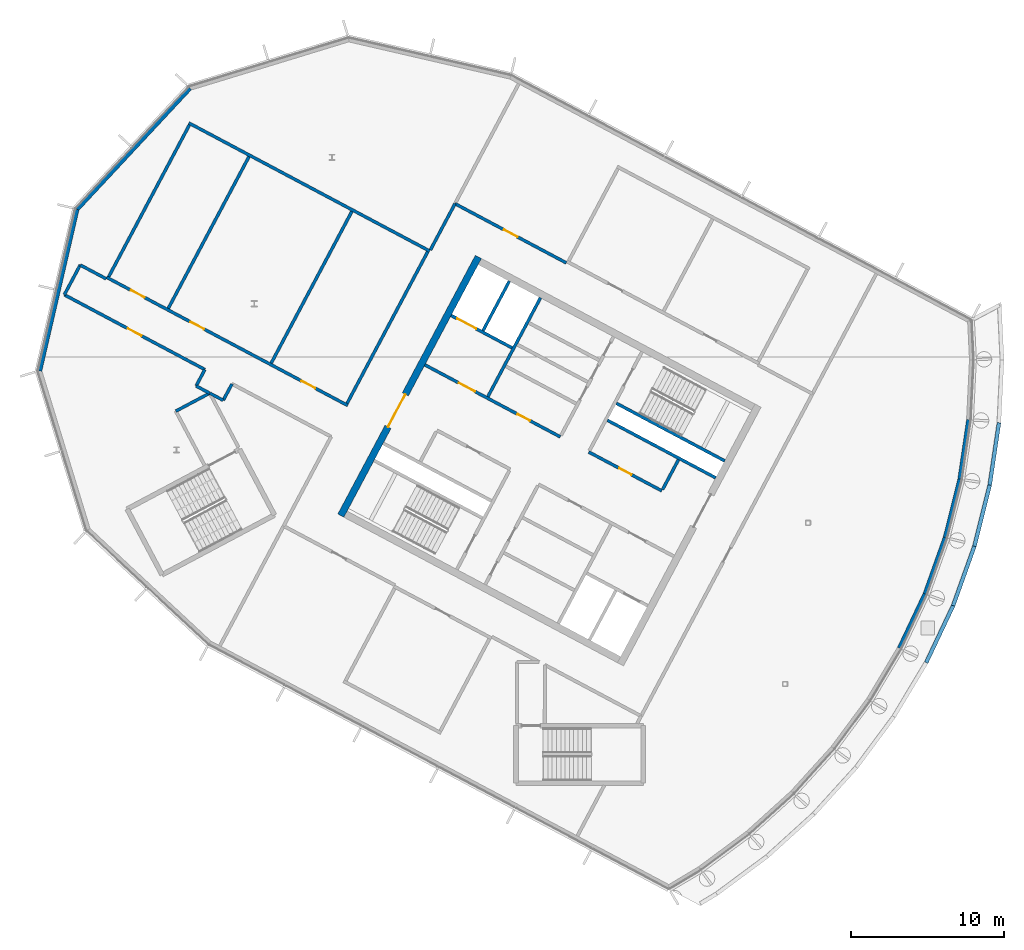
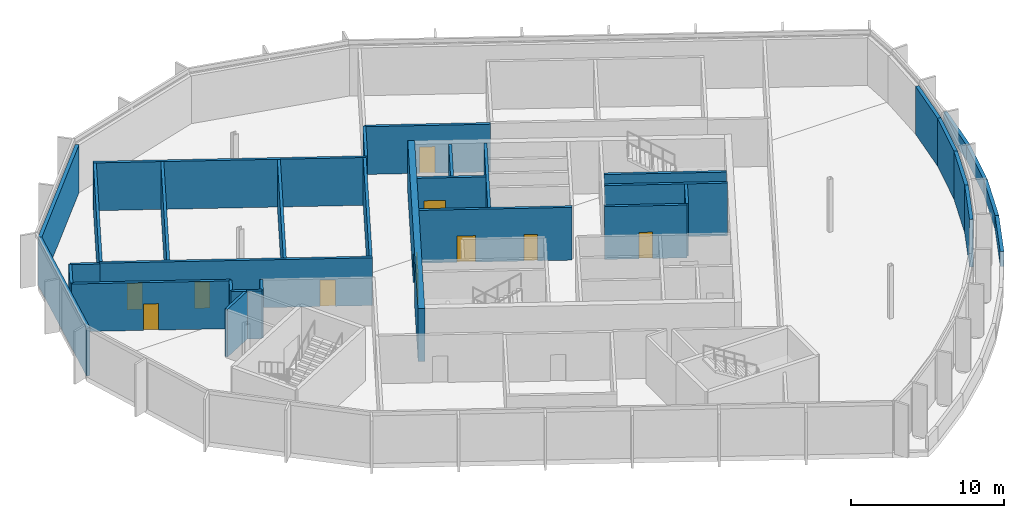
# One storey, part 7 of 16: 35 walls, 10 doors, 10 openings.
"""IFC4 building model written with IfcOpenShell, lengths in metres."""

from ifc_helpers import new_model, si_unit, direction, frame, frame_2d, origin, place, context, subcontext, project, spatial, rectangle, extrude, material, layer, layer_set, type_object, element, fill, save


model = new_model("IFC4")

# Units and contexts
model_context = context("Model", 3, precision=1e-05, world=origin(), true_north=direction((0.0, 1.0)))
body_context = subcontext(model_context, "Body", "Model", "MODEL_VIEW")
ifc_project = project(units=[si_unit("LENGTHUNIT", "METRE"), si_unit("AREAUNIT", "SQUARE_METRE"), si_unit("VOLUMEUNIT", "CUBIC_METRE"), si_unit("PLANEANGLEUNIT", "RADIAN"), si_unit("MASSUNIT", "GRAM", prefix="KILO")], contexts=[model_context])

# Site, building, storey
site_placement = place(None, origin())
site = spatial("IfcSite", under=ifc_project, at=site_placement, CompositionType="ELEMENT")
building_placement = place(site_placement, origin())
building = spatial("IfcBuilding", under=site, at=building_placement, Name="Cormorant Relay Tower", CompositionType="ELEMENT")
storey_placement = place(building_placement, frame((0.0, 0.0, 340.800048828125)))
storey = spatial("IfcBuildingStorey", under=building, at=storey_placement, Name="C4", CompositionType="ELEMENT", Elevation=340.800048828125)

# Walls
ifc_material_1 = material(Name="Concrete 50 MPa", Category="concrete")
ifc_layer_1 = layer(ifc_material_1, 0.199951171875)
ifc_layer_set_1 = layer_set([ifc_layer_1], Name="Core shaft wall 200")
wall_type_1 = type_object("IfcWallType", Name="Core shaft wall 200", PredefinedType="SHEAR", material=ifc_layer_set_1)
wall_1_placement = place(storey_placement, frame((-18.959716796875, 14.611328125, 0.0), z_axis=(0.0, 0.0, 1.0), x_axis=(-0.4694473164, -0.882960484464, 0.0)))
element("IfcWall", 1, at=wall_1_placement, inside=storey, type_object=wall_type_1, Name="C4 core A shaft wall", PredefinedType="SHEAR", context=body_context, shape_type="SweptSolid", body=[
    extrude(rectangle(XDim=2.199951171875, YDim=0.199951171875, at=frame_2d((1.10009765625, 0.0))), origin(), (0.0, 0.0, 1.0), 4.199951171875),
])
wall_2_placement = place(storey_placement, frame((-27.955322265625, 25.170654296875, 0.0), z_axis=(0.0, 0.0, 1.0), x_axis=(-0.469480409012, -0.88294288918, 0.0)))
element("IfcWall", 2, at=wall_2_placement, inside=storey, type_object=wall_type_1, Name="C4 core A shaft wall", PredefinedType="SHEAR", context=body_context, shape_type="SweptSolid", body=[
    extrude(rectangle(XDim=7.300048828125, YDim=0.199951171875, at=frame_2d((3.64990234375, 0.0))), origin(), (0.0, 0.0, 1.0), 4.199951171875),
])
wall_3_placement = place(storey_placement, frame((-29.986083984375, 26.250244140625, 0.0), z_axis=(0.0, 0.0, 1.0), x_axis=(-0.469494272526, -0.882935517501, 0.0)))
element("IfcWall", 3, at=wall_3_placement, inside=storey, type_object=wall_type_1, Name="C4 core A shaft wall", PredefinedType="SHEAR", context=body_context, shape_type="SweptSolid", body=[
    extrude(rectangle(XDim=3.64990234375, YDim=0.199951171875, at=frame_2d((1.824951171875, 0.0))), origin(), (0.0, 0.0, 1.0), 4.199951171875),
])
wall_4_placement = place(storey_placement, frame((-15.94189453125, 14.53564453125, 0.0), z_axis=(0.0, 0.0, 1.0), x_axis=(-0.882946947542, 0.469472776449, 0.0)))
element("IfcWall", 4, at=wall_4_placement, inside=storey, type_object=wall_type_1, Name="C4 core A shaft wall", PredefinedType="SHEAR", context=body_context, shape_type="SweptSolid", body=[
    extrude(rectangle(XDim=8.000244140625, YDim=0.199951171875, at=frame_2d((4.0, 0.0))), origin(), (0.0, 0.0, 1.0), 4.199951171875),
])

# Wall, opening, door
wall_5_placement = place(storey_placement, frame((-29.80419921875, 21.906494140625, 0.0), z_axis=(0.0, 0.0, 1.0), x_axis=(-0.882960433586, 0.469447412093, 0.0)))
wall_5 = element("IfcWall", 5, at=wall_5_placement, inside=storey, type_object=wall_type_1, Name="C4 core A shaft wall", PredefinedType="SHEAR", context=body_context, shape_type="SweptSolid", body=[
    extrude(rectangle(XDim=4.5, YDim=0.199951171875, at=frame_2d((2.25, 0.0))), origin(), (0.0, 0.0, 1.0), 4.199951171875),
])
opening_1_placement = place(wall_5_placement, frame((2.64990234375, 0.0, 0.0)))
opening_1 = element("IfcOpeningElement", 6, at=opening_1_placement, cuts=wall_5, Name="Opening LD3-017", PredefinedType="OPENING", context=body_context, shape_type="SweptSolid", body=[
    extrude(rectangle(XDim=1.39990234375, YDim=2.39990234375, at=frame_2d((0.699951171875, 1.199951171875))), frame((0.0, 0.10986328125, 0.0), z_axis=(0.0, -1.0, 0.0), x_axis=(1.0, 0.0, 0.0)), (0.0, 0.0, 1.0), 0.219970703125),
])
ifc_material_2 = material(Name="Stainless steel 316", Category="steel")
door_type_1 = type_object("IfcDoorType", Name="Lift landing door 1400x2400", OperationType="DOUBLE_DOOR_SLIDING", PredefinedType="DOOR", material=ifc_material_2)
door_1_placement = place(opening_1_placement, origin())
door_1 = element("IfcDoor", 7, at=door_1_placement, inside=storey, type_object=door_type_1, Name="SV1 landing door", OperationType="DOUBLE_DOOR_SLIDING", OverallHeight=2.39990234375, OverallWidth=1.39990234375, PredefinedType="DOOR", context=body_context, shape_type="SweptSolid", body=[
    extrude(rectangle(XDim=1.39990234375, YDim=2.39990234375, at=frame_2d((0.699951171875, 1.199951171875))), frame((0.0, 0.02490234375, 0.0), z_axis=(0.0, -1.0, 0.0), x_axis=(1.0, 0.0, 0.0)), (0.0, 0.0, 1.0), 0.050048828125),
])
fill(opening_1, door_1)

# Wall
wall_6_placement = place(storey_placement, frame((-16.52880859375, 13.43212890625, 0.0), z_axis=(0.0, 0.0, 1.0), x_axis=(-0.88295287151, 0.469461634952, 0.0)))
element("IfcWall", 8, at=wall_6_placement, inside=storey, type_object=wall_type_1, Name="C4 core A shaft wall", PredefinedType="SHEAR", context=body_context, shape_type="SweptSolid", body=[
    extrude(rectangle(XDim=7.999755859375, YDim=0.199951171875, at=frame_2d((4.0, 0.0))), origin(), (0.0, 0.0, 1.0), 4.199951171875),
])

# Wall, opening, door
wall_7_placement = place(storey_placement, frame((-20.03955078125, 12.58056640625, 0.0), z_axis=(0.0, 0.0, 1.0), x_axis=(-0.882942972946, 0.469480251476, 0.0)))
wall_7 = element("IfcWall", 9, at=wall_7_placement, inside=storey, type_object=wall_type_1, Name="C4 core A shaft wall", PredefinedType="SHEAR", context=body_context, shape_type="SweptSolid", body=[
    extrude(rectangle(XDim=5.39990234375, YDim=0.199951171875, at=frame_2d((2.699951171875, 0.0))), origin(), (0.0, 0.0, 1.0), 4.199951171875),
])
opening_2_placement = place(wall_7_placement, frame((2.25, 0.0, 0.0)))
opening_2 = element("IfcOpeningElement", 10, at=opening_2_placement, cuts=wall_7, Name="Opening CDD-365", PredefinedType="OPENING", context=body_context, shape_type="SweptSolid", body=[
    extrude(rectangle(XDim=0.89990234375, YDim=2.10009765625, at=frame_2d((0.449951171875, 1.050048828125))), frame((0.0, 0.10986328125, 0.0), z_axis=(0.0, -1.0, 0.0), x_axis=(1.0, 0.0, 0.0)), (0.0, 0.0, 1.0), 0.219970703125),
])
ifc_material_3 = material(Name="Steel fire door", Category="steel")
door_type_2 = type_object("IfcDoorType", Name="Core room door 900x2100", OperationType="SINGLE_SWING_LEFT", PredefinedType="DOOR", material=ifc_material_3)
door_2_placement = place(opening_2_placement, origin())
door_2 = element("IfcDoor", 11, at=door_2_placement, inside=storey, type_object=door_type_2, Name="Core room door 900x2100", OperationType="SINGLE_SWING_LEFT", OverallHeight=2.10009765625, OverallWidth=0.89990234375, PredefinedType="DOOR", context=body_context, shape_type="SweptSolid", body=[
    extrude(rectangle(XDim=0.89990234375, YDim=2.10009765625, at=frame_2d((0.449951171875, 1.050048828125))), frame((0.0, 0.02490234375, 0.0), z_axis=(0.0, -1.0, 0.0), x_axis=(1.0, 0.0, 0.0)), (0.0, 0.0, 1.0), 0.050048828125),
])
fill(opening_2, door_2)

# Wall, openings, doors
wall_8_placement = place(storey_placement, frame((-26.66162109375, 16.1015625, 0.0), z_axis=(0.0, 0.0, 1.0), x_axis=(-0.882940221191, 0.469485426614, 0.0)))
wall_8 = element("IfcWall", 12, at=wall_8_placement, inside=storey, type_object=wall_type_1, Name="C4 core A shaft wall", PredefinedType="SHEAR", context=body_context, shape_type="SweptSolid", body=[
    extrude(rectangle(XDim=10.0, YDim=0.199951171875, at=frame_2d((5.0, 0.0))), origin(), (0.0, 0.0, 1.0), 4.199951171875),
])
opening_3_placement = place(wall_8_placement, frame((6.300048828125, 0.0, 0.0)))
opening_3 = element("IfcOpeningElement", 13, at=opening_3_placement, cuts=wall_8, Name="Opening CDC-041", PredefinedType="OPENING", context=body_context, shape_type="SweptSolid", body=[
    extrude(rectangle(XDim=1.199951171875, YDim=2.10009765625, at=frame_2d((0.60009765625, 1.050048828125))), frame((0.0, 0.10986328125, 0.0), z_axis=(0.0, -1.0, 0.0), x_axis=(1.0, 0.0, 0.0)), (0.0, 0.0, 1.0), 0.219970703125),
])
opening_4_placement = place(wall_8_placement, frame((2.25, 0.0, 0.0)))
opening_4 = element("IfcOpeningElement", 14, at=opening_4_placement, cuts=wall_8, Name="Opening CDD-366", PredefinedType="OPENING", context=body_context, shape_type="SweptSolid", body=[
    extrude(rectangle(XDim=0.89990234375, YDim=2.10009765625, at=frame_2d((0.449951171875, 1.050048828125))), frame((0.0, 0.10986328125, 0.0), z_axis=(0.0, -1.0, 0.0), x_axis=(1.0, 0.0, 0.0)), (0.0, 0.0, 1.0), 0.219970703125),
])
ifc_material_4 = material(Name="Steel fire door", Category="steel")
door_type_3 = type_object("IfcDoorType", Name="Core lobby door 1200x2100", OperationType="SINGLE_SWING_LEFT", PredefinedType="DOOR", material=ifc_material_4)
door_3_placement = place(opening_3_placement, origin())
door_3 = element("IfcDoor", 15, at=door_3_placement, inside=storey, type_object=door_type_3, Name="Core lobby door 1200x2100", OperationType="SINGLE_SWING_LEFT", OverallHeight=2.10009765625, OverallWidth=1.199951171875, PredefinedType="DOOR", context=body_context, shape_type="SweptSolid", body=[
    extrude(rectangle(XDim=1.199951171875, YDim=2.10009765625, at=frame_2d((0.60009765625, 1.050048828125))), frame((0.0, 0.02490234375, 0.0), z_axis=(0.0, -1.0, 0.0), x_axis=(1.0, 0.0, 0.0)), (0.0, 0.0, 1.0), 0.050048828125),
])
fill(opening_3, door_3)
door_4_placement = place(opening_4_placement, origin())
door_4 = element("IfcDoor", 16, at=door_4_placement, inside=storey, type_object=door_type_2, Name="Core room door 900x2100", OperationType="SINGLE_SWING_LEFT", OverallHeight=2.10009765625, OverallWidth=0.89990234375, PredefinedType="DOOR", context=body_context, shape_type="SweptSolid", body=[
    extrude(rectangle(XDim=0.89990234375, YDim=2.10009765625, at=frame_2d((0.449951171875, 1.050048828125))), frame((0.0, 0.02490234375, 0.0), z_axis=(0.0, -1.0, 0.0), x_axis=(1.0, 0.0, 0.0)), (0.0, 0.0, 1.0), 0.050048828125),
])
fill(opening_4, door_4)

# Wall, opening, door
ifc_material_5 = material(Name="Concrete 50 MPa", Category="concrete")
ifc_layer_2 = layer(ifc_material_5, 0.449951171875)
ifc_layer_set_2 = layer_set([ifc_layer_2], Name="Core wall 450")
wall_type_2 = type_object("IfcWallType", Name="Core wall 450", PredefinedType="SHEAR", material=ifc_layer_set_2)
wall_9_placement = place(storey_placement, frame((-32.00439453125, 27.8330078125, 0.0), z_axis=(0.0, 0.0, 1.0), x_axis=(-0.469467968382, -0.882949504028, 0.0)))
wall_9 = element("IfcWall", 17, at=wall_9_placement, inside=storey, type_object=wall_type_2, Name="C4 core A wall", PredefinedType="SHEAR", context=body_context, shape_type="SweptSolid", body=[
    extrude(rectangle(XDim=19.099853515625, YDim=0.449951171875, at=frame_2d((9.5498046875, 0.0))), origin(), (0.0, 0.0, 1.0), 4.199951171875),
])
opening_5_placement = place(wall_9_placement, frame((10.14990234375, 0.0, 0.0)))
opening_5 = element("IfcOpeningElement", 18, at=opening_5_placement, cuts=wall_9, Name="Opening CDA-059", PredefinedType="OPENING", context=body_context, shape_type="SweptSolid", body=[
    extrude(rectangle(XDim=2.39990234375, YDim=2.39990234375, at=frame_2d((1.199951171875, 1.199951171875))), frame((0.0, 0.23486328125, 0.0), z_axis=(0.0, -1.0, 0.0), x_axis=(1.0, 0.0, 0.0)), (0.0, 0.0, 1.0), 0.469970703125),
])
ifc_material_6 = material(Name="Steel fire door", Category="steel")
door_type_4 = type_object("IfcDoorType", Name="Core lobby door 2400x2400", OperationType="DOUBLE_DOOR_SINGLE_SWING", PredefinedType="DOOR", material=ifc_material_6)
door_5_placement = place(opening_5_placement, origin())
door_5 = element("IfcDoor", 19, at=door_5_placement, inside=storey, type_object=door_type_4, Name="Core lobby door 2400x2400", OperationType="DOUBLE_DOOR_SINGLE_SWING", OverallHeight=2.39990234375, OverallWidth=2.39990234375, PredefinedType="DOOR", context=body_context, shape_type="SweptSolid", body=[
    extrude(rectangle(XDim=2.39990234375, YDim=2.39990234375, at=frame_2d((1.199951171875, 1.199951171875))), frame((0.0, 0.02490234375, 0.0), z_axis=(0.0, -1.0, 0.0), x_axis=(1.0, 0.0, 0.0)), (0.0, 0.0, 1.0), 0.050048828125),
])
fill(opening_5, door_5)

# Wall
ifc_material_7 = material(Name="Concrete 30 MPa block wall", Category="concrete")
ifc_layer_3 = layer(ifc_material_7, 0.199951171875)
ifc_layer_set_3 = layer_set([ifc_layer_3], Name="Crown plant room wall 200")
wall_type_3 = type_object("IfcWallType", Name="Crown plant room wall 200", PredefinedType="PARTITIONING", material=ifc_layer_set_3)
wall_10_placement = place(storey_placement, frame((-35.1708984375, 28.21435546875, 0.0), z_axis=(0.0, 0.0, 1.0), x_axis=(-0.882952110828, 0.469463065622, 0.0)))
element("IfcWall", 20, at=wall_10_placement, inside=storey, type_object=wall_type_3, Name="Plant room wall", PredefinedType="PARTITIONING", context=body_context, shape_type="SweptSolid", body=[
    extrude(rectangle(XDim=17.800048828125, YDim=0.199951171875, at=frame_2d((8.89990234375, 0.0))), origin(), (0.0, 0.0, 1.0), 3.7998046875),
])

# Wall, openings, doors
wall_11_placement = place(storey_placement, frame((-40.52294921875, 18.148681640625, 0.0), z_axis=(0.0, 0.0, 1.0), x_axis=(-0.882946425434, 0.469473758387, 0.0)))
wall_11 = element("IfcWall", 21, at=wall_11_placement, inside=storey, type_object=wall_type_3, Name="Plant room wall", PredefinedType="PARTITIONING", context=body_context, shape_type="SweptSolid", body=[
    extrude(rectangle(XDim=17.800048828125, YDim=0.199951171875, at=frame_2d((8.89990234375, 0.0))), origin(), (0.0, 0.0, 1.0), 3.7998046875),
])
opening_6_placement = place(wall_11_placement, frame((2.39990234375, 0.0, 0.0)))
opening_6 = element("IfcOpeningElement", 22, at=opening_6_placement, cuts=wall_11, Name="Opening CRD1-003", PredefinedType="OPENING", context=body_context, shape_type="SweptSolid", body=[
    extrude(rectangle(XDim=1.0, YDim=2.10009765625, at=frame_2d((0.5, 1.050048828125))), frame((0.0, 0.10986328125, 0.0), z_axis=(0.0, -1.0, 0.0), x_axis=(1.0, 0.0, 0.0)), (0.0, 0.0, 1.0), 0.219970703125),
])
opening_7_placement = place(wall_11_placement, frame((10.60009765625, 0.0, 0.0)))
opening_7 = element("IfcOpeningElement", 23, at=opening_7_placement, cuts=wall_11, Name="Opening CRD1-004", PredefinedType="OPENING", context=body_context, shape_type="SweptSolid", body=[
    extrude(rectangle(XDim=1.0, YDim=2.10009765625, at=frame_2d((0.5, 1.050048828125))), frame((0.0, 0.10986328125, 0.0), z_axis=(0.0, -1.0, 0.0), x_axis=(1.0, 0.0, 0.0)), (0.0, 0.0, 1.0), 0.219970703125),
])
opening_8_placement = place(wall_11_placement, frame((15.0, 0.0, 0.0)))
opening_8 = element("IfcOpeningElement", 24, at=opening_8_placement, cuts=wall_11, Name="Opening CRD1-005", PredefinedType="OPENING", context=body_context, shape_type="SweptSolid", body=[
    extrude(rectangle(XDim=1.0, YDim=2.10009765625, at=frame_2d((0.5, 1.050048828125))), frame((0.0, 0.10986328125, 0.0), z_axis=(0.0, -1.0, 0.0), x_axis=(1.0, 0.0, 0.0)), (0.0, 0.0, 1.0), 0.219970703125),
])
ifc_material_8 = material(Name="Galvanised sheet steel ASTM A653 framed door leaf", Category="steel")
door_type_5 = type_object("IfcDoorType", Name="Crown door single 1000", OperationType="SINGLE_SWING_LEFT", PredefinedType="DOOR", material=ifc_material_8)
door_6_placement = place(opening_6_placement, frame((1.0, 0.0, 0.0), z_axis=(0.0, 0.0, 1.0), x_axis=(-1.0, 0.0, 0.0)))
door_6 = element("IfcDoor", 25, at=door_6_placement, inside=storey, type_object=door_type_5, Name="Telecom equipment room door", OperationType="SINGLE_SWING_RIGHT", OverallHeight=2.10009765625, OverallWidth=1.0, PredefinedType="DOOR", context=body_context, shape_type="SweptSolid", body=[
    extrude(rectangle(XDim=1.0, YDim=2.10009765625, at=frame_2d((0.5, 1.050048828125))), frame((0.0, 0.02490234375, 0.0), z_axis=(0.0, -1.0, 0.0), x_axis=(1.0, 0.0, 0.0)), (0.0, 0.0, 1.0), 0.050048828125),
])
fill(opening_6, door_6)
door_7_placement = place(opening_7_placement, frame((1.0, 0.0, 0.0), z_axis=(0.0, 0.0, 1.0), x_axis=(-1.0, 0.0, 0.0)))
door_7 = element("IfcDoor", 26, at=door_7_placement, inside=storey, type_object=door_type_5, Name="Radio frequency room door", OperationType="SINGLE_SWING_RIGHT", OverallHeight=2.10009765625, OverallWidth=1.0, PredefinedType="DOOR", context=body_context, shape_type="SweptSolid", body=[
    extrude(rectangle(XDim=1.0, YDim=2.10009765625, at=frame_2d((0.5, 1.050048828125))), frame((0.0, 0.02490234375, 0.0), z_axis=(0.0, -1.0, 0.0), x_axis=(1.0, 0.0, 0.0)), (0.0, 0.0, 1.0), 0.050048828125),
])
fill(opening_7, door_7)
door_8_placement = place(opening_8_placement, frame((1.0, 0.0, 0.0), z_axis=(0.0, 0.0, 1.0), x_axis=(-1.0, 0.0, 0.0)))
door_8 = element("IfcDoor", 27, at=door_8_placement, inside=storey, type_object=door_type_5, Name="Cable entry room door", OperationType="SINGLE_SWING_RIGHT", OverallHeight=2.10009765625, OverallWidth=1.0, PredefinedType="DOOR", context=body_context, shape_type="SweptSolid", body=[
    extrude(rectangle(XDim=1.0, YDim=2.10009765625, at=frame_2d((0.5, 1.050048828125))), frame((0.0, 0.02490234375, 0.0), z_axis=(0.0, -1.0, 0.0), x_axis=(1.0, 0.0, 0.0)), (0.0, 0.0, 1.0), 0.050048828125),
])
fill(opening_8, door_8)

# Walls
for number, where, z_axis, x_axis, name in (
    (28, (-35.306396484375, 28.173095703125, 0.0), (0.0, 0.0, 1.0), (-0.469447393298, -0.882960443579, 0.0), "Plant room wall"),
    (29, (-40.250732421875, 30.802001953125, 0.0), (0.0, 0.0, 1.0), (-0.469473423128, -0.882946603695, 0.0), "Plant room wall"),
):
    element("IfcWall", number, at=place(storey_placement, frame(where, z_axis=z_axis, x_axis=x_axis)), inside=storey, type_object=wall_type_3, Name=name, PredefinedType="PARTITIONING", context=body_context, shape_type="SweptSolid", body=[
        extrude(rectangle(XDim=11.199951171875, YDim=0.199951171875, at=frame_2d((5.60009765625, 0.0))), origin(), (0.0, 0.0, 1.0), 3.7998046875),
    ])
for number, where, z_axis, x_axis, name in (
    (30, (-46.961181640625, 34.3701171875, 0.0), (0.0, 0.0, 1.0), (-0.46946438738, -0.882951408052, 0.0), "Plant room wall"),
    (31, (-50.84619140625, 36.435791015625, 0.0), (0.0, 0.0, 1.0), (-0.46946438738, -0.882951408052, 0.0), "Plant room wall"),
):
    element("IfcWall", number, at=place(storey_placement, frame(where, z_axis=z_axis, x_axis=x_axis)), inside=storey, type_object=wall_type_3, Name=name, PredefinedType="PARTITIONING", context=body_context, shape_type="SweptSolid", body=[
        extrude(rectangle(XDim=11.2001953125, YDim=0.199951171875, at=frame_2d((5.60009765625, 0.0))), origin(), (0.0, 0.0, 1.0), 3.7998046875),
    ])
wall_12_placement = place(storey_placement, frame((-57.964111328125, 27.30908203125, 0.0), z_axis=(0.0, 0.0, 1.0), x_axis=(0.882957622595, -0.46945269911, 0.0)))
element("IfcWall", 32, at=wall_12_placement, inside=storey, type_object=wall_type_3, Name="Plant room wall", PredefinedType="PARTITIONING", context=body_context, shape_type="SweptSolid", body=[
    extrude(rectangle(XDim=1.919921875, YDim=0.199951171875, at=frame_2d((0.9599609375, 0.0))), origin(), (0.0, 0.0, 1.0), 3.7998046875),
])
wall_13_placement = place(storey_placement, frame((-35.13330078125, 28.284912109375, 0.0), z_axis=(0.0, 0.0, 1.0), x_axis=(0.469431829014, 0.882968718533, 0.0)))
element("IfcWall", 33, at=wall_13_placement, inside=storey, type_object=wall_type_3, Name="Plant room wall", PredefinedType="PARTITIONING", context=body_context, shape_type="SweptSolid", body=[
    extrude(rectangle(XDim=3.419921875, YDim=0.199951171875, at=frame_2d((1.7099609375, 0.0))), origin(), (0.0, 0.0, 1.0), 3.7998046875),
])
wall_14_placement = place(storey_placement, frame((-48.06591796875, 19.554443359375, 0.0), z_axis=(0.0, 0.0, 1.0), x_axis=(-0.472372077366, -0.881399240143, 0.0)))
element("IfcWall", 34, at=wall_14_placement, inside=storey, type_object=wall_type_3, Name="Plant room wall", PredefinedType="PARTITIONING", context=body_context, shape_type="SweptSolid", body=[
    extrude(rectangle(XDim=1.214111328125, YDim=0.199951171875, at=frame_2d((0.60693359375, 0.0))), origin(), (0.0, 0.0, 1.0), 3.7998046875),
])
wall_15_placement = place(storey_placement, frame((-48.639404296875, 18.484375, 0.0), z_axis=(0.0, 0.0, 1.0), x_axis=(-0.883070878111, 0.469239623467, 0.0)))
element("IfcWall", 35, at=wall_15_placement, inside=storey, type_object=wall_type_3, Name="Plant room wall", PredefinedType="PARTITIONING", context=body_context, shape_type="SweptSolid", body=[
    extrude(rectangle(XDim=0.987060546875, YDim=0.199951171875, at=frame_2d((0.49365234375, 0.0))), origin(), (0.0, 0.0, 1.0), 3.7998046875),
])
wall_16_placement = place(storey_placement, frame((-51.729736328125, 17.77978515625, 0.0), z_axis=(0.0, 0.0, 1.0), x_axis=(0.882878437933, 0.469601601182, 0.0)))
element("IfcWall", 36, at=wall_16_placement, inside=storey, type_object=wall_type_3, Name="Plant room wall", PredefinedType="PARTITIONING", context=body_context, shape_type="SweptSolid", body=[
    extrude(rectangle(XDim=2.492431640625, YDim=0.199951171875, at=frame_2d((1.24609375, 0.0))), origin(), (0.0, 0.0, 1.0), 3.7998046875),
])
wall_17_placement = place(storey_placement, frame((-49.529296875, 18.9501953125, 0.0), z_axis=(0.0, 0.0, 1.0), x_axis=(-0.880014039158, 0.474947671733, 0.0)))
element("IfcWall", 37, at=wall_17_placement, inside=storey, type_object=wall_type_3, Name="Plant room wall", PredefinedType="PARTITIONING", context=body_context, shape_type="SweptSolid", body=[
    extrude(rectangle(XDim=0.99560546875, YDim=0.199951171875, at=frame_2d((0.497802734375, 0.0))), origin(), (0.0, 0.0, 1.0), 3.7998046875),
])
wall_18_placement = place(storey_placement, frame((-50.405517578125, 19.423095703125, 0.0), z_axis=(0.0, 0.0, 1.0), x_axis=(0.469425611223, 0.882972024204, 0.0)))
element("IfcWall", 38, at=wall_18_placement, inside=storey, type_object=wall_type_3, Name="Plant room wall", PredefinedType="PARTITIONING", context=body_context, shape_type="SweptSolid", body=[
    extrude(rectangle(XDim=1.210205078125, YDim=0.199951171875, at=frame_2d((0.60498046875, 0.0))), origin(), (0.0, 0.0, 1.0), 3.7998046875),
])

# Wall, opening, door
wall_19_placement = place(storey_placement, frame((-49.83740234375, 20.49169921875, 0.0), z_axis=(0.0, 0.0, 1.0), x_axis=(-0.882753842136, 0.469835773643, 0.0)))
wall_19 = element("IfcWall", 39, at=wall_19_placement, inside=storey, type_object=wall_type_3, Name="Plant room wall", PredefinedType="PARTITIONING", context=body_context, shape_type="SweptSolid", body=[
    extrude(rectangle(XDim=10.3759765625, YDim=0.199951171875, at=frame_2d((5.18798828125, 0.0))), origin(), (0.0, 0.0, 1.0), 3.7998046875),
])
opening_9_placement = place(wall_19_placement, frame((4.68798828125, 0.0, 0.0)))
opening_9 = element("IfcOpeningElement", 40, at=opening_9_placement, cuts=wall_19, Name="Opening CRD1-007", PredefinedType="OPENING", context=body_context, shape_type="SweptSolid", body=[
    extrude(rectangle(XDim=1.0, YDim=2.10009765625, at=frame_2d((0.5, 1.050048828125))), frame((0.0, 0.10986328125, 0.0), z_axis=(0.0, -1.0, 0.0), x_axis=(1.0, 0.0, 0.0)), (0.0, 0.0, 1.0), 0.219970703125),
])
door_9_placement = place(opening_9_placement, origin())
door_9 = element("IfcDoor", 41, at=door_9_placement, inside=storey, type_object=door_type_5, Name="Radio frequency hall door", OperationType="SINGLE_SWING_LEFT", OverallHeight=2.10009765625, OverallWidth=1.0, PredefinedType="DOOR", context=body_context, shape_type="SweptSolid", body=[
    extrude(rectangle(XDim=1.0, YDim=2.10009765625, at=frame_2d((0.5, 1.050048828125))), frame((0.0, 0.02490234375, 0.0), z_axis=(0.0, -1.0, 0.0), x_axis=(1.0, 0.0, 0.0)), (0.0, 0.0, 1.0), 0.050048828125),
])
fill(opening_9, door_9)

# Wall
wall_20_placement = place(storey_placement, frame((-58.996826171875, 25.36669921875, 0.0), z_axis=(0.0, 0.0, 1.0), x_axis=(0.4694473164, 0.882960484464, 0.0)))
element("IfcWall", 42, at=wall_20_placement, inside=storey, type_object=wall_type_3, Name="Plant room wall", PredefinedType="PARTITIONING", context=body_context, shape_type="SweptSolid", body=[
    extrude(rectangle(XDim=2.199951171875, YDim=0.199951171875, at=frame_2d((1.10009765625, 0.0))), origin(), (0.0, 0.0, 1.0), 3.7998046875),
])

# Wall, opening, door
wall_21_placement = place(storey_placement, frame((-33.52783203125, 31.3046875, 0.0), z_axis=(0.0, 0.0, 1.0), x_axis=(0.882943382095, -0.469479481996, 0.0)))
wall_21 = element("IfcWall", 43, at=wall_21_placement, inside=storey, type_object=wall_type_3, Name="Plant room wall", PredefinedType="PARTITIONING", context=body_context, shape_type="SweptSolid", body=[
    extrude(rectangle(XDim=8.219970703125, YDim=0.199951171875, at=frame_2d((4.10986328125, 0.0))), origin(), (0.0, 0.0, 1.0), 3.7998046875),
])
opening_10_placement = place(wall_21_placement, frame((3.610107421875, 0.0, 0.0)))
opening_10 = element("IfcOpeningElement", 44, at=opening_10_placement, cuts=wall_21, Name="Opening CRD1-010", PredefinedType="OPENING", context=body_context, shape_type="SweptSolid", body=[
    extrude(rectangle(XDim=1.0, YDim=2.10009765625, at=frame_2d((0.5, 1.050048828125))), frame((0.0, 0.10986328125, 0.0), z_axis=(0.0, -1.0, 0.0), x_axis=(1.0, 0.0, 0.0)), (0.0, 0.0, 1.0), 0.219970703125),
])
door_10_placement = place(opening_10_placement, origin())
door_10 = element("IfcDoor", 45, at=door_10_placement, inside=storey, type_object=door_type_5, Name="Network operations centre door", OperationType="SINGLE_SWING_RIGHT", OverallHeight=2.10009765625, OverallWidth=1.0, PredefinedType="DOOR", context=body_context, shape_type="SweptSolid", body=[
    extrude(rectangle(XDim=1.0, YDim=2.10009765625, at=frame_2d((0.5, 1.050048828125))), frame((0.0, 0.02490234375, 0.0), z_axis=(0.0, -1.0, 0.0), x_axis=(1.0, 0.0, 0.0)), (0.0, 0.0, 1.0), 0.050048828125),
])
fill(opening_10, door_10)

# Walls
ifc_material_9 = material(Name="Bronze cladding on Concrete 30 MPa block wall", Category="concrete")
ifc_layer_4 = layer(ifc_material_9, 0.25)
ifc_layer_set_4 = layer_set([ifc_layer_4], Name="Crown wall 250")
wall_type_4 = type_object("IfcWallType", Name="Crown wall 250", PredefinedType="STANDARD", material=ifc_layer_set_4)
for number, where, z_axis, x_axis, name in (
    (46, (-60.590576171875, 20.397705078125, 0.0), (0.0, 0.0, 1.0), (0.224943678254, 0.97437176766, 0.0), "Crown wall C4"),
    (47, (-58.160400390625, 30.92431640625, 0.0), (0.0, 0.0, 1.0), (0.681998532518, 0.731353540802, 0.0), "Crown wall C4"),
):
    element("IfcWall", number, at=place(storey_placement, frame(where, z_axis=z_axis, x_axis=x_axis)), inside=storey, type_object=wall_type_4, Name=name, PredefinedType="STANDARD", context=body_context, shape_type="SweptSolid", body=[
        extrude(rectangle(XDim=10.803466796875, YDim=0.25, at=frame_2d((5.40185546875, 0.0))), origin(), (0.0, 0.0, 1.0), 3.7998046875),
    ])
wall_22_placement = place(storey_placement, frame((-0.0498046875, 17.2177734375, 0.0), z_axis=(0.0, 0.0, 1.0), x_axis=(-0.146738588488, -0.989175306328, 0.0)))
element("IfcWall", 48, at=wall_22_placement, inside=storey, type_object=wall_type_4, Name="Crown wall C4", PredefinedType="STANDARD", context=body_context, shape_type="SweptSolid", body=[
    extrude(rectangle(XDim=3.913330078125, YDim=0.25, at=frame_2d((1.95654296875, 0.0))), origin(), (0.0, 0.0, 1.0), 3.7998046875),
])
wall_23_placement = place(storey_placement, frame((-0.6240234375, 13.346923828125, 0.0), z_axis=(0.0, 0.0, 1.0), x_axis=(-0.242961347419, -0.970035970292, 0.0)))
element("IfcWall", 49, at=wall_23_placement, inside=storey, type_object=wall_type_4, Name="Crown wall C4", PredefinedType="STANDARD", context=body_context, shape_type="SweptSolid", body=[
    extrude(rectangle(XDim=3.912841796875, YDim=0.25, at=frame_2d((1.95654296875, 0.0))), origin(), (0.0, 0.0, 1.0), 3.7998046875),
])
wall_24_placement = place(storey_placement, frame((-1.57470703125, 9.55126953125, 0.0), z_axis=(0.0, 0.0, 1.0), x_axis=(-0.336889635149, -0.941544143272, 0.0)))
element("IfcWall", 50, at=wall_24_placement, inside=storey, type_object=wall_type_4, Name="Crown wall C4", PredefinedType="STANDARD", context=body_context, shape_type="SweptSolid", body=[
    extrude(rectangle(XDim=3.913330078125, YDim=0.25, at=frame_2d((1.95654296875, 0.0))), origin(), (0.0, 0.0, 1.0), 3.7998046875),
])
wall_25_placement = place(storey_placement, frame((-2.89306640625, 5.86669921875, 0.0), z_axis=(0.0, 0.0, 1.0), x_axis=(-0.427565971831, -0.903984147943, 0.0)))
element("IfcWall", 51, at=wall_25_placement, inside=storey, type_object=wall_type_4, Name="Crown wall C4", PredefinedType="STANDARD", context=body_context, shape_type="SweptSolid", body=[
    extrude(rectangle(XDim=3.9130859375, YDim=0.25, at=frame_2d((1.95654296875, 0.0))), origin(), (0.0, 0.0, 1.0), 3.7998046875),
])
ifc_material_10 = material(Name="Bronze cladding on Concrete 30 MPa block wall", Category="concrete")
ifc_layer_5 = layer(ifc_material_10, 0.25)
ifc_layer_set_5 = layer_set([ifc_layer_5], Name="Parapet 250")
wall_type_5 = type_object("IfcWallType", Name="Parapet 250", PredefinedType="PARAPET", material=ifc_layer_set_5)
wall_26_placement = place(storey_placement, frame((1.940673828125, 17.021728515625, 0.0), z_axis=(0.0, 0.0, 1.0), x_axis=(-0.1467424382, -0.989174735237, 0.0)))
element("IfcWall", 52, at=wall_26_placement, inside=storey, type_object=wall_type_5, Name="Terrace parapet C3", PredefinedType="PARAPET", context=body_context, shape_type="SweptSolid", body=[
    extrude(rectangle(XDim=4.109375, YDim=0.25, at=frame_2d((2.0546875, 0.0))), origin(), (0.0, 0.0, 1.0), 1.199951171875),
])
wall_27_placement = place(storey_placement, frame((1.337646484375, 12.956787109375, 0.0), z_axis=(0.0, 0.0, 1.0), x_axis=(-0.24299691781, -0.970027060414, 0.0)))
element("IfcWall", 53, at=wall_27_placement, inside=storey, type_object=wall_type_5, Name="Terrace parapet C3", PredefinedType="PARAPET", context=body_context, shape_type="SweptSolid", body=[
    extrude(rectangle(XDim=4.109130859375, YDim=0.25, at=frame_2d((2.0546875, 0.0))), origin(), (0.0, 0.0, 1.0), 1.199951171875),
])
wall_28_placement = place(storey_placement, frame((0.339111328125, 8.970703125, 0.0), z_axis=(0.0, 0.0, 1.0), x_axis=(-0.336897074906, -0.941541481253, 0.0)))
element("IfcWall", 54, at=wall_28_placement, inside=storey, type_object=wall_type_5, Name="Terrace parapet C3", PredefinedType="PARAPET", context=body_context, shape_type="SweptSolid", body=[
    extrude(rectangle(XDim=4.109619140625, YDim=0.25, at=frame_2d((2.0546875, 0.0))), origin(), (0.0, 0.0, 1.0), 1.199951171875),
])
wall_29_placement = place(storey_placement, frame((-1.04541015625, 5.101318359375, 0.0), z_axis=(0.0, 0.0, 1.0), x_axis=(-0.427547370259, -0.903992945871, 0.0)))
element("IfcWall", 55, at=wall_29_placement, inside=storey, type_object=wall_type_5, Name="Terrace parapet C3", PredefinedType="PARAPET", context=body_context, shape_type="SweptSolid", body=[
    extrude(rectangle(XDim=4.109130859375, YDim=0.25, at=frame_2d((2.0546875, 0.0))), origin(), (0.0, 0.0, 1.0), 1.199951171875),
])

save(model, "model.ifc")
